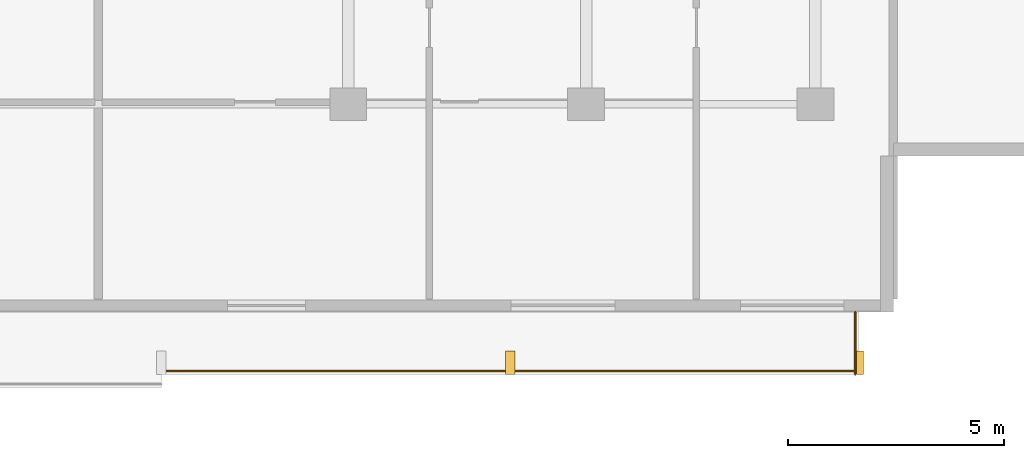
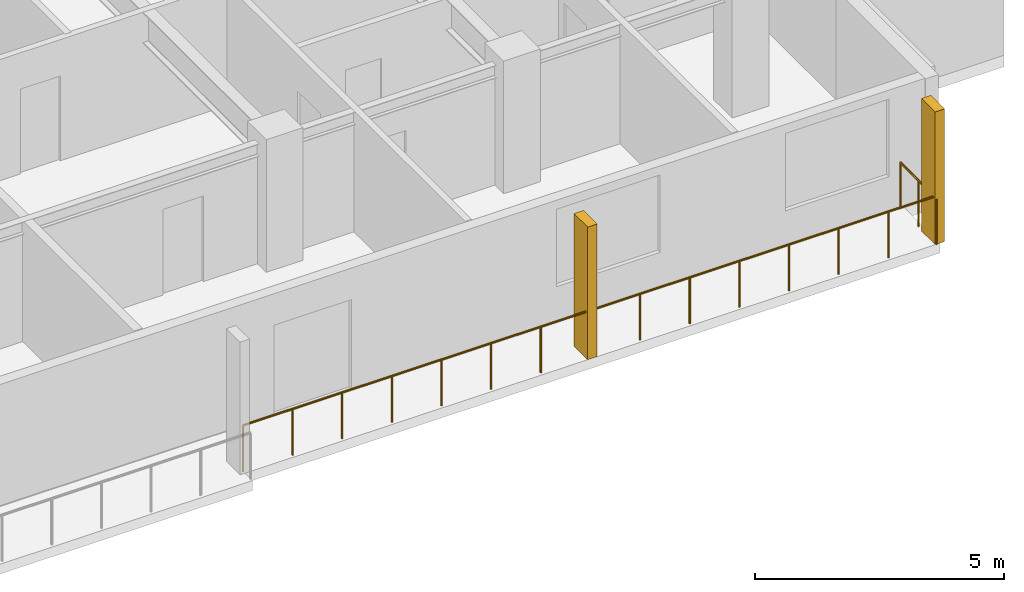
# One storey, part 19 of 21: 2 railings, 2 shading devices.
"""IFC4 building model written with IfcOpenShell, lengths in metres."""

from ifc_helpers import new_model, si_unit, direction, frame, origin, origin_2d, place, context, subcontext, project, spatial, rectangle, circle, extrude, material, type_object, element, save


model = new_model("IFC4")

# Units and contexts
model_context = context("Model", 3, precision=1e-05, world=origin(), true_north=direction((0.0, 1.0)))
body_context = subcontext(model_context, "Body", "Model", "MODEL_VIEW")
ifc_project = project(units=[si_unit("LENGTHUNIT", "METRE"), si_unit("AREAUNIT", "SQUARE_METRE"), si_unit("VOLUMEUNIT", "CUBIC_METRE"), si_unit("PLANEANGLEUNIT", "RADIAN"), si_unit("MASSUNIT", "GRAM", prefix="KILO")], contexts=[model_context])

# Site, building, storey
site_placement = place(None, origin())
site = spatial("IfcSite", under=ifc_project, at=site_placement, CompositionType="ELEMENT")
building_placement = place(site_placement, origin())
building = spatial("IfcBuilding", under=site, at=building_placement, Name="Korimba Cascade Residences", CompositionType="ELEMENT")
storey_placement = place(building_placement, frame((0.0, 0.0, 97.050048828125)))
storey = spatial("IfcBuildingStorey", under=building, at=storey_placement, Name="L27", CompositionType="ELEMENT", Elevation=97.050048828125)

# Railings
ifc_material_1 = material(Name="Laminated Glass and Bronze Balustrade", Category="glass")
railing_type = type_object("IfcRailingType", Name="RLG-LOG-1150", PredefinedType="BALUSTRADE", material=ifc_material_1)
railing_1_placement = place(storey_placement, frame((113.78564453125, -10.3701171875, 0.0)))
element("IfcRailing", 1, at=railing_1_placement, inside=storey, type_object=railing_type, Name="L27 Perimeter Guardrail RLG-L27-T2-LOG-06", PredefinedType="BALUSTRADE", context=body_context, shape_type="SweptSolid", body=[
    extrude(circle(Radius=0.02392578125, at=origin_2d()), frame((0.0, 0.0, 1.1259765625), z_axis=(1.0, 0.0, 0.0), x_axis=(0.0, 1.0, 0.0)), (0.0, 0.0, 1.0), 16.1142578125),
    extrude(circle(Radius=0.02099609375, at=origin_2d()), origin(), (0.0, 0.0, 1.0), 1.101806640625),
    extrude(circle(Radius=0.02099609375, at=origin_2d()), frame((1.151123046875, 0.0, 0.0)), (0.0, 0.0, 1.0), 1.101806640625),
    extrude(circle(Radius=0.02099609375, at=origin_2d()), frame((2.302001953125, 0.0, 0.0)), (0.0, 0.0, 1.0), 1.101806640625),
    extrude(circle(Radius=0.02099609375, at=origin_2d()), frame((3.453125, 0.0, 0.0)), (0.0, 0.0, 1.0), 1.101806640625),
    extrude(circle(Radius=0.02099609375, at=origin_2d()), frame((4.60400390625, 0.0, 0.0)), (0.0, 0.0, 1.0), 1.101806640625),
    extrude(circle(Radius=0.02099609375, at=origin_2d()), frame((5.755126953125, 0.0, 0.0)), (0.0, 0.0, 1.0), 1.101806640625),
    extrude(circle(Radius=0.02099609375, at=origin_2d()), frame((6.906005859375, 0.0, 0.0)), (0.0, 0.0, 1.0), 1.101806640625),
    extrude(circle(Radius=0.02099609375, at=origin_2d()), frame((8.05712890625, 0.0, 0.0)), (0.0, 0.0, 1.0), 1.101806640625),
    extrude(circle(Radius=0.02099609375, at=origin_2d()), frame((9.208251953125, 0.0, 0.0)), (0.0, 0.0, 1.0), 1.101806640625),
    extrude(circle(Radius=0.02099609375, at=origin_2d()), frame((10.359130859375, 0.0, 0.0)), (0.0, 0.0, 1.0), 1.101806640625),
    extrude(circle(Radius=0.02099609375, at=origin_2d()), frame((11.51025390625, 0.0, 0.0)), (0.0, 0.0, 1.0), 1.101806640625),
    extrude(circle(Radius=0.02099609375, at=origin_2d()), frame((12.6611328125, 0.0, 0.0)), (0.0, 0.0, 1.0), 1.101806640625),
    extrude(circle(Radius=0.02099609375, at=origin_2d()), frame((13.812255859375, 0.0, 0.0)), (0.0, 0.0, 1.0), 1.101806640625),
    extrude(circle(Radius=0.02099609375, at=origin_2d()), frame((14.963134765625, 0.0, 0.0)), (0.0, 0.0, 1.0), 1.101806640625),
    extrude(circle(Radius=0.02099609375, at=origin_2d()), frame((16.1142578125, 0.0, 0.0)), (0.0, 0.0, 1.0), 1.101806640625),
])
railing_2_placement = place(storey_placement, frame((129.820068359375, -10.449951171875, 0.0)))
element("IfcRailing", 2, at=railing_2_placement, inside=storey, type_object=railing_type, Name="L27 Perimeter Guardrail RLG-L27-T2-LOG-07", PredefinedType="BALUSTRADE", context=body_context, shape_type="SweptSolid", body=[
    extrude(circle(Radius=0.02392578125, at=origin_2d()), frame((0.0, 0.0, 1.1259765625), z_axis=(0.0, 1.0, 0.0), x_axis=(-1.0, 0.0, 0.0)), (0.0, 0.0, 1.0), 1.449951171875),
    extrude(circle(Radius=0.02099609375, at=origin_2d()), origin(), (0.0, 0.0, 1.0), 1.101806640625),
    extrude(circle(Radius=0.02099609375, at=origin_2d()), frame((0.0, 0.72509765625, 0.0)), (0.0, 0.0, 1.0), 1.101806640625),
    extrude(circle(Radius=0.02099609375, at=origin_2d()), frame((0.0, 1.449951171875, 0.0)), (0.0, 0.0, 1.0), 1.101806640625),
])

# Shading devices
ifc_material_2 = material(Name="Honed Sandstone Precast Fin", Category="masonry")
shading_device_type = type_object("IfcShadingDeviceType", Name="SHD-FIN-550", PredefinedType="USERDEFINED", material=ifc_material_2)
for number, where, z_axis, x_axis, name in (
    (3, (121.843017578125, -10.175048828125, 0.0), (0.0, 0.0, 1.0), (1.0, 0.0, 0.0), "L27 T2 Warm-Stone Loggia Fin 7"),
    (4, (129.89990234375, -10.175048828125, 0.0), (0.0, 0.0, 1.0), (1.0, 0.0, 0.0), "L27 T2 Warm-Stone Loggia Fin 8"),
):
    element("IfcShadingDevice", number, at=place(storey_placement, frame(where, z_axis=z_axis, x_axis=x_axis)), inside=storey, type_object=shading_device_type, Name=name, ObjectType="FIN", PredefinedType="USERDEFINED", context=body_context, shape_type="SweptSolid", body=[
        extrude(rectangle(XDim=0.219970703125, YDim=0.550048828125, at=origin_2d()), origin(), (0.0, 0.0, 1.0), 3.25),
    ])

save(model, "model.ifc")
